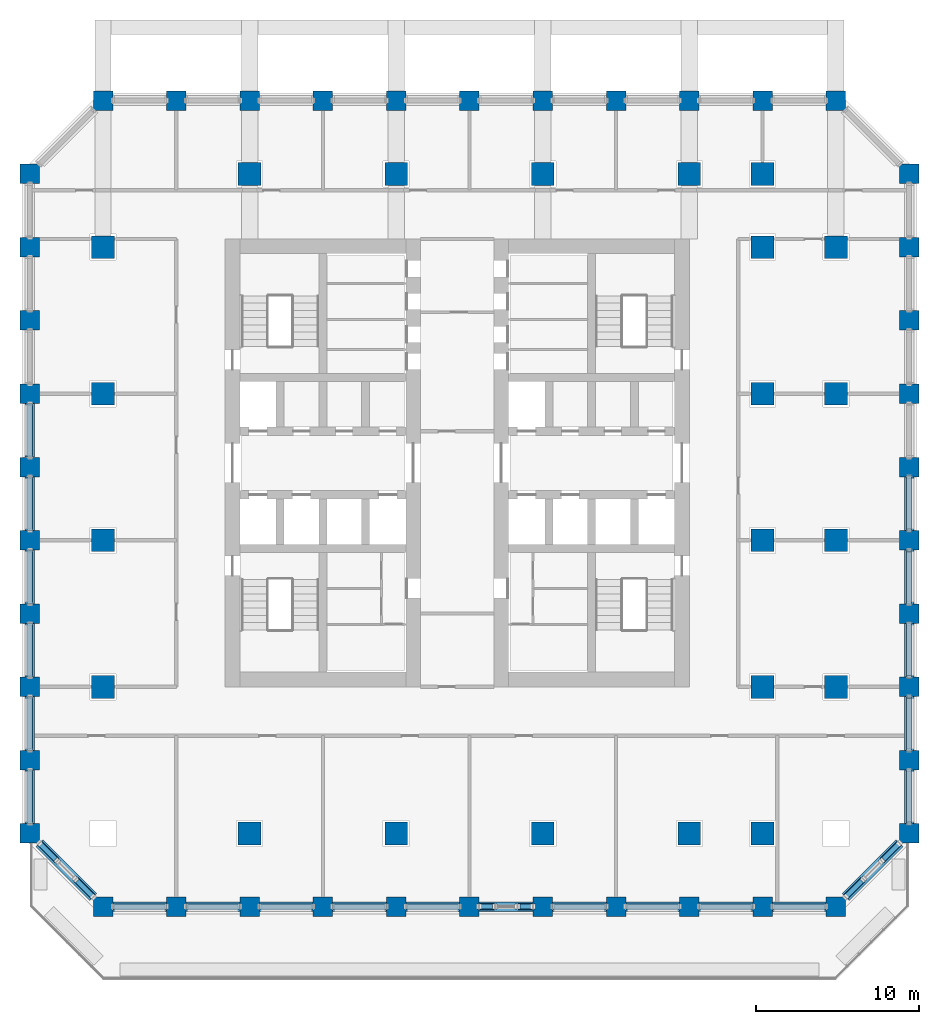
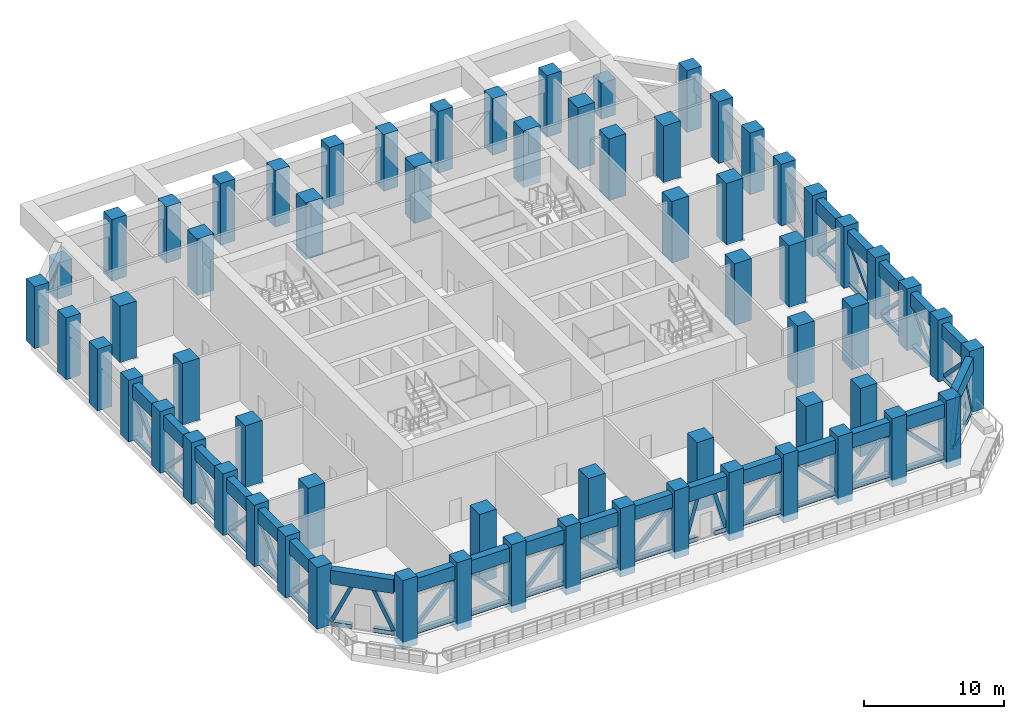
# One storey, part 1 of 20: 64 columns, 52 members, 23 beams.
"""IFC4 building model written with IfcOpenShell, lengths in metres."""

from ifc_helpers import new_model, si_unit, direction, frame, origin, origin_2d, place, context, subcontext, project, spatial, rectangle, hollow_rectangle, i_section, extrude, material, material_profile, profile_set, type_object, element, save


model = new_model("IFC4")

# Units and contexts
model_context = context("Model", 3, precision=1e-05, world=origin(), true_north=direction((0.0, 1.0)))
body_context = subcontext(model_context, "Body", "Model", "MODEL_VIEW")
ifc_project = project(units=[si_unit("LENGTHUNIT", "METRE"), si_unit("AREAUNIT", "SQUARE_METRE"), si_unit("VOLUMEUNIT", "CUBIC_METRE"), si_unit("PLANEANGLEUNIT", "RADIAN"), si_unit("MASSUNIT", "GRAM", prefix="KILO")], contexts=[model_context])

# Site, building, storey
site_placement = place(None, origin())
site = spatial("IfcSite", under=ifc_project, at=site_placement, CompositionType="ELEMENT")
building_placement = place(site_placement, origin())
building = spatial("IfcBuilding", under=site, at=building_placement, Name="Corbel Stack Research Tower", CompositionType="ELEMENT")
storey_placement = place(building_placement, frame((0.0, 0.0, 76.60009765625)))
storey = spatial("IfcBuildingStorey", under=building, at=storey_placement, Name="L17", CompositionType="ELEMENT", Elevation=76.60009765625)

# Columns
ifc_material_1 = material(Name="Concrete C70/85", Category="concrete")
ifc_material_profile_1 = material_profile(ifc_material_1, rectangle(XDim=1.199951171875, YDim=1.199951171875, at=origin_2d()), Name="RC 1200 x 1200")
ifc_profile_set_1 = profile_set([ifc_material_profile_1], Name="Concrete C70/85")
column_type_1 = type_object("IfcColumnType", Name="C-1200-70", PredefinedType="COLUMN", material=ifc_profile_set_1)
for number, where, z_axis, x_axis, name in (
    (1, (-22.5, -18.0, 0.0), (0.0, 0.0, 1.0), (1.0, 0.0, 0.0), "Column 3/D L17"),
    (2, (-22.5, -13.5, 0.0), (0.0, 0.0, 1.0), (1.0, 0.0, 0.0), "Column 3/E L17"),
    (3, (-22.5, -9.0, 0.0), (0.0, 0.0, 1.0), (1.0, 0.0, 0.0), "Column 3/F L17"),
    (4, (-22.5, -4.5, 0.0), (0.0, 0.0, 1.0), (1.0, 0.0, 0.0), "Column 3/G L17"),
    (5, (-22.5, 0.0, 0.0), (0.0, 0.0, 1.0), (1.0, 0.0, 0.0), "Column 3/H L17"),
    (6, (-22.5, 4.5, 0.0), (0.0, 0.0, 1.0), (1.0, 0.0, 0.0), "Column 3/J L17"),
    (7, (-22.5, 9.0, 0.0), (0.0, 0.0, 1.0), (1.0, 0.0, 0.0), "Column 3/K L17"),
    (8, (-22.5, 13.5, 0.0), (0.0, 0.0, 1.0), (1.0, 0.0, 0.0), "Column 3/L L17"),
    (9, (-22.5, 18.0, 0.0), (0.0, 0.0, 1.0), (1.0, 0.0, 0.0), "Column 3/M L17"),
    (10, (-22.5, 22.5, 0.0), (0.0, 0.0, 1.0), (1.0, 0.0, 0.0), "Column 3/N L17"),
):
    element("IfcColumn", number, at=place(storey_placement, frame(where, z_axis=z_axis, x_axis=x_axis)), inside=storey, type_object=column_type_1, Name=name, PredefinedType="COLUMN", context=body_context, shape_type="SweptSolid", body=[
        extrude(rectangle(XDim=1.199951171875, YDim=1.199951171875, at=origin_2d()), origin(), (0.0, 0.0, 1.0), 5.39990234375),
    ])
for number, where, z_axis, x_axis, name in (
    (11, (-18.0, -22.5, -0.60009765625), (0.0, 0.0, 1.0), (1.0, 0.0, 0.0), "Column 4/C L17"),
    (12, (-13.5, -22.5, -0.60009765625), (0.0, 0.0, 1.0), (1.0, 0.0, 0.0), "Column 5/C L17"),
):
    element("IfcColumn", number, at=place(storey_placement, frame(where, z_axis=z_axis, x_axis=x_axis)), inside=storey, type_object=column_type_1, Name=name, PredefinedType="COLUMN", context=body_context, shape_type="SweptSolid", body=[
        extrude(rectangle(XDim=1.199951171875, YDim=1.199951171875, at=origin_2d()), origin(), (0.0, 0.0, 1.0), 6.0),
    ])
column_1_placement = place(storey_placement, frame((-13.5, 27.0, 0.0), z_axis=(0.0, 0.0, 1.0), x_axis=(1.0, 0.0, 0.0)))
element("IfcColumn", 13, at=column_1_placement, inside=storey, type_object=column_type_1, Name="Column 5/P L17", PredefinedType="COLUMN", context=body_context, shape_type="SweptSolid", body=[
    extrude(rectangle(XDim=1.199951171875, YDim=1.199951171875, at=origin_2d()), origin(), (0.0, 0.0, 1.0), 5.39990234375),
])
for number, where, z_axis, x_axis, name in (
    (14, (-9.0, -22.5, -0.60009765625), (0.0, 0.0, 1.0), (1.0, 0.0, 0.0), "Column 6/C L17"),
    (15, (-4.5, -22.5, -0.60009765625), (0.0, 0.0, 1.0), (1.0, 0.0, 0.0), "Column 7/C L17"),
):
    element("IfcColumn", number, at=place(storey_placement, frame(where, z_axis=z_axis, x_axis=x_axis)), inside=storey, type_object=column_type_1, Name=name, PredefinedType="COLUMN", context=body_context, shape_type="SweptSolid", body=[
        extrude(rectangle(XDim=1.199951171875, YDim=1.199951171875, at=origin_2d()), origin(), (0.0, 0.0, 1.0), 6.0),
    ])
column_2_placement = place(storey_placement, frame((-4.5, 27.0, 0.0), z_axis=(0.0, 0.0, 1.0), x_axis=(1.0, 0.0, 0.0)))
element("IfcColumn", 16, at=column_2_placement, inside=storey, type_object=column_type_1, Name="Column 7/P L17", PredefinedType="COLUMN", context=body_context, shape_type="SweptSolid", body=[
    extrude(rectangle(XDim=1.199951171875, YDim=1.199951171875, at=origin_2d()), origin(), (0.0, 0.0, 1.0), 5.39990234375),
])
for number, where, z_axis, x_axis, name in (
    (17, (0.0, -22.5, -0.60009765625), (0.0, 0.0, 1.0), (1.0, 0.0, 0.0), "Column 8/C L17"),
    (18, (4.5, -22.5, -0.60009765625), (0.0, 0.0, 1.0), (1.0, 0.0, 0.0), "Column 9/C L17"),
):
    element("IfcColumn", number, at=place(storey_placement, frame(where, z_axis=z_axis, x_axis=x_axis)), inside=storey, type_object=column_type_1, Name=name, PredefinedType="COLUMN", context=body_context, shape_type="SweptSolid", body=[
        extrude(rectangle(XDim=1.199951171875, YDim=1.199951171875, at=origin_2d()), origin(), (0.0, 0.0, 1.0), 6.0),
    ])
column_3_placement = place(storey_placement, frame((4.5, 27.0, 0.0), z_axis=(0.0, 0.0, 1.0), x_axis=(1.0, 0.0, 0.0)))
element("IfcColumn", 19, at=column_3_placement, inside=storey, type_object=column_type_1, Name="Column 9/P L17", PredefinedType="COLUMN", context=body_context, shape_type="SweptSolid", body=[
    extrude(rectangle(XDim=1.199951171875, YDim=1.199951171875, at=origin_2d()), origin(), (0.0, 0.0, 1.0), 5.39990234375),
])
for number, where, z_axis, x_axis, name in (
    (20, (9.0, -22.5, -0.60009765625), (0.0, 0.0, 1.0), (1.0, 0.0, 0.0), "Column 10/C L17"),
    (21, (13.5, -22.5, -0.60009765625), (0.0, 0.0, 1.0), (1.0, 0.0, 0.0), "Column 11/C L17"),
):
    element("IfcColumn", number, at=place(storey_placement, frame(where, z_axis=z_axis, x_axis=x_axis)), inside=storey, type_object=column_type_1, Name=name, PredefinedType="COLUMN", context=body_context, shape_type="SweptSolid", body=[
        extrude(rectangle(XDim=1.199951171875, YDim=1.199951171875, at=origin_2d()), origin(), (0.0, 0.0, 1.0), 6.0),
    ])
column_4_placement = place(storey_placement, frame((13.5, 27.0, 0.0), z_axis=(0.0, 0.0, 1.0), x_axis=(1.0, 0.0, 0.0)))
element("IfcColumn", 22, at=column_4_placement, inside=storey, type_object=column_type_1, Name="Column 11/P L17", PredefinedType="COLUMN", context=body_context, shape_type="SweptSolid", body=[
    extrude(rectangle(XDim=1.199951171875, YDim=1.199951171875, at=origin_2d()), origin(), (0.0, 0.0, 1.0), 5.39990234375),
])
for number, where, z_axis, x_axis, name in (
    (23, (18.0, -22.5, -0.60009765625), (0.0, 0.0, 1.0), (1.0, 0.0, 0.0), "Column 12/C L17"),
    (24, (22.5, -22.5, -0.60009765625), (0.0, 0.0, 1.0), (1.0, 0.0, 0.0), "Column 13/C L17"),
):
    element("IfcColumn", number, at=place(storey_placement, frame(where, z_axis=z_axis, x_axis=x_axis)), inside=storey, type_object=column_type_1, Name=name, PredefinedType="COLUMN", context=body_context, shape_type="SweptSolid", body=[
        extrude(rectangle(XDim=1.199951171875, YDim=1.199951171875, at=origin_2d()), origin(), (0.0, 0.0, 1.0), 6.0),
    ])
column_5_placement = place(storey_placement, frame((22.5, 27.0, 0.0), z_axis=(0.0, 0.0, 1.0), x_axis=(1.0, 0.0, 0.0)))
element("IfcColumn", 25, at=column_5_placement, inside=storey, type_object=column_type_1, Name="Column 13/P L17", PredefinedType="COLUMN", context=body_context, shape_type="SweptSolid", body=[
    extrude(rectangle(XDim=1.199951171875, YDim=1.199951171875, at=origin_2d()), origin(), (0.0, 0.0, 1.0), 5.39990234375),
])
column_6_placement = place(storey_placement, frame((27.0, -22.5, -0.60009765625), z_axis=(0.0, 0.0, 1.0), x_axis=(1.0, 0.0, 0.0)))
element("IfcColumn", 26, at=column_6_placement, inside=storey, type_object=column_type_1, Name="Column 14/C L17", PredefinedType="COLUMN", context=body_context, shape_type="SweptSolid", body=[
    extrude(rectangle(XDim=1.199951171875, YDim=1.199951171875, at=origin_2d()), origin(), (0.0, 0.0, 1.0), 6.0),
])
for number, where, z_axis, x_axis, name in (
    (27, (31.5, -18.0, 0.0), (0.0, 0.0, 1.0), (1.0, 0.0, 0.0), "Column 15/D L17"),
    (28, (31.5, -13.5, 0.0), (0.0, 0.0, 1.0), (1.0, 0.0, 0.0), "Column 15/E L17"),
    (29, (31.5, -9.0, 0.0), (0.0, 0.0, 1.0), (1.0, 0.0, 0.0), "Column 15/F L17"),
    (30, (31.5, -4.5, 0.0), (0.0, 0.0, 1.0), (1.0, 0.0, 0.0), "Column 15/G L17"),
    (31, (31.5, 0.0, 0.0), (0.0, 0.0, 1.0), (1.0, 0.0, 0.0), "Column 15/H L17"),
    (32, (31.5, 4.5, 0.0), (0.0, 0.0, 1.0), (1.0, 0.0, 0.0), "Column 15/J L17"),
    (33, (31.5, 9.0, 0.0), (0.0, 0.0, 1.0), (1.0, 0.0, 0.0), "Column 15/K L17"),
    (34, (31.5, 13.5, 0.0), (0.0, 0.0, 1.0), (1.0, 0.0, 0.0), "Column 15/L L17"),
    (35, (31.5, 18.0, 0.0), (0.0, 0.0, 1.0), (1.0, 0.0, 0.0), "Column 15/M L17"),
    (36, (31.5, 22.5, 0.0), (0.0, 0.0, 1.0), (1.0, 0.0, 0.0), "Column 15/N L17"),
):
    element("IfcColumn", number, at=place(storey_placement, frame(where, z_axis=z_axis, x_axis=x_axis)), inside=storey, type_object=column_type_1, Name=name, PredefinedType="COLUMN", context=body_context, shape_type="SweptSolid", body=[
        extrude(rectangle(XDim=1.199951171875, YDim=1.199951171875, at=origin_2d()), origin(), (0.0, 0.0, 1.0), 5.39990234375),
    ])
ifc_material_2 = material(Name="Concrete C70/85", Category="concrete")
ifc_material_profile_2 = material_profile(ifc_material_2, rectangle(XDim=1.39990234375, YDim=1.39990234375, at=origin_2d()), Name="RC 1400 x 1400")
ifc_profile_set_2 = profile_set([ifc_material_profile_2], Name="Concrete C70/85")
column_type_2 = type_object("IfcColumnType", Name="C-1400-70", PredefinedType="COLUMN", material=ifc_profile_set_2)
for number, where, z_axis, x_axis, name in (
    (37, (-18.0, -9.0, 0.0), (0.0, 0.0, 1.0), (1.0, 0.0, 0.0), "Column 4/F L17"),
    (38, (-18.0, 0.0, 0.0), (0.0, 0.0, 1.0), (1.0, 0.0, 0.0), "Column 4/H L17"),
    (39, (-18.0, 9.0, 0.0), (0.0, 0.0, 1.0), (1.0, 0.0, 0.0), "Column 4/K L17"),
):
    element("IfcColumn", number, at=place(storey_placement, frame(where, z_axis=z_axis, x_axis=x_axis)), inside=storey, type_object=column_type_2, Name=name, PredefinedType="COLUMN", context=body_context, shape_type="SweptSolid", body=[
        extrude(rectangle(XDim=1.39990234375, YDim=1.39990234375, at=origin_2d()), origin(), (0.0, 0.0, 1.0), 5.39990234375),
    ])
for number, where, z_axis, x_axis, name in (
    (40, (-9.0, -18.0, -0.60009765625), (0.0, 0.0, 1.0), (1.0, 0.0, 0.0), "Column 6/D L17"),
    (41, (0.0, -18.0, -0.60009765625), (0.0, 0.0, 1.0), (1.0, 0.0, 0.0), "Column 8/D L17"),
    (42, (9.0, -18.0, -0.60009765625), (0.0, 0.0, 1.0), (1.0, 0.0, 0.0), "Column 10/D L17"),
):
    element("IfcColumn", number, at=place(storey_placement, frame(where, z_axis=z_axis, x_axis=x_axis)), inside=storey, type_object=column_type_2, Name=name, PredefinedType="COLUMN", context=body_context, shape_type="SweptSolid", body=[
        extrude(rectangle(XDim=1.39990234375, YDim=1.39990234375, at=origin_2d()), origin(), (0.0, 0.0, 1.0), 6.0),
    ])
column_7_placement = place(storey_placement, frame((18.0, -18.0, 0.0), z_axis=(0.0, 0.0, 1.0), x_axis=(1.0, 0.0, 0.0)))
element("IfcColumn", 43, at=column_7_placement, inside=storey, type_object=column_type_2, Name="Column 12/D L17", PredefinedType="COLUMN", context=body_context, shape_type="SweptSolid", body=[
    extrude(rectangle(XDim=1.39990234375, YDim=1.39990234375, at=origin_2d()), origin(), (0.0, 0.0, 1.0), 5.39990234375),
])
column_8_placement = place(storey_placement, frame((22.5, -18.0, -0.60009765625), z_axis=(0.0, 0.0, 1.0), x_axis=(1.0, 0.0, 0.0)))
element("IfcColumn", 44, at=column_8_placement, inside=storey, type_object=column_type_2, Name="Column 13/D L17", PredefinedType="COLUMN", context=body_context, shape_type="SweptSolid", body=[
    extrude(rectangle(XDim=1.39990234375, YDim=1.39990234375, at=origin_2d()), origin(), (0.0, 0.0, 1.0), 6.0),
])
for number, where, z_axis, x_axis, name in (
    (45, (22.5, -9.0, 0.0), (0.0, 0.0, 1.0), (1.0, 0.0, 0.0), "Column 13/F L17"),
    (46, (22.5, 0.0, 0.0), (0.0, 0.0, 1.0), (1.0, 0.0, 0.0), "Column 13/H L17"),
    (47, (22.5, 9.0, 0.0), (0.0, 0.0, 1.0), (1.0, 0.0, 0.0), "Column 13/K L17"),
    (48, (22.5, 18.0, 0.0), (0.0, 0.0, 1.0), (1.0, 0.0, 0.0), "Column 13/M L17"),
    (49, (22.5, 22.5, 0.0), (0.0, 0.0, 1.0), (1.0, 0.0, 0.0), "Column 13/N L17"),
    (50, (27.0, -9.0, 0.0), (0.0, 0.0, 1.0), (1.0, 0.0, 0.0), "Column 14/F L17"),
    (51, (27.0, 0.0, 0.0), (0.0, 0.0, 1.0), (1.0, 0.0, 0.0), "Column 14/H L17"),
    (52, (27.0, 9.0, 0.0), (0.0, 0.0, 1.0), (1.0, 0.0, 0.0), "Column 14/K L17"),
):
    element("IfcColumn", number, at=place(storey_placement, frame(where, z_axis=z_axis, x_axis=x_axis)), inside=storey, type_object=column_type_2, Name=name, PredefinedType="COLUMN", context=body_context, shape_type="SweptSolid", body=[
        extrude(rectangle(XDim=1.39990234375, YDim=1.39990234375, at=origin_2d()), origin(), (0.0, 0.0, 1.0), 5.39990234375),
    ])
ifc_material_3 = material(Name="Concrete C70/85", Category="concrete")
ifc_material_profile_3 = material_profile(ifc_material_3, rectangle(XDim=1.199951171875, YDim=1.199951171875, at=origin_2d()), Name="RC 1200 x 1200")
ifc_profile_set_3 = profile_set([ifc_material_profile_3], Name="Concrete C70/85")
column_type_3 = type_object("IfcColumnType", Name="CG-1200-70-2250", PredefinedType="COLUMN", material=ifc_profile_set_3)
for number, where, z_axis, x_axis, name in (
    (53, (-18.0, 27.0, 0.0), (0.0, 0.0, 1.0), (1.0, 0.0, 0.0), "Column 4/P L17"),
    (54, (27.0, 27.0, 0.0), (0.0, 0.0, 1.0), (1.0, 0.0, 0.0), "Column 14/P L17"),
):
    element("IfcColumn", number, at=place(storey_placement, frame(where, z_axis=z_axis, x_axis=x_axis)), inside=storey, type_object=column_type_3, Name=name, PredefinedType="COLUMN", context=body_context, shape_type="SweptSolid", body=[
        extrude(rectangle(XDim=1.199951171875, YDim=1.199951171875, at=origin_2d()), origin(), (0.0, 0.0, 1.0), 3.14990234375),
    ])
ifc_material_4 = material(Name="Concrete C70/85", Category="concrete")
ifc_material_profile_4 = material_profile(ifc_material_4, rectangle(XDim=1.199951171875, YDim=1.199951171875, at=origin_2d()), Name="RC 1200 x 1200")
ifc_profile_set_4 = profile_set([ifc_material_profile_4], Name="Concrete C70/85")
column_type_4 = type_object("IfcColumnType", Name="CG-1200-70-450", PredefinedType="COLUMN", material=ifc_profile_set_4)
for number, where, z_axis, x_axis, name in (
    (55, (-9.0, 27.0, 0.0), (0.0, 0.0, 1.0), (1.0, 0.0, 0.0), "Column 6/P L17"),
    (56, (0.0, 27.0, 0.0), (0.0, 0.0, 1.0), (1.0, 0.0, 0.0), "Column 8/P L17"),
    (57, (9.0, 27.0, 0.0), (0.0, 0.0, 1.0), (1.0, 0.0, 0.0), "Column 10/P L17"),
    (58, (18.0, 27.0, 0.0), (0.0, 0.0, 1.0), (1.0, 0.0, 0.0), "Column 12/P L17"),
):
    element("IfcColumn", number, at=place(storey_placement, frame(where, z_axis=z_axis, x_axis=x_axis)), inside=storey, type_object=column_type_4, Name=name, PredefinedType="COLUMN", context=body_context, shape_type="SweptSolid", body=[
        extrude(rectangle(XDim=1.199951171875, YDim=1.199951171875, at=origin_2d()), origin(), (0.0, 0.0, 1.0), 4.949951171875),
    ])
ifc_material_5 = material(Name="Concrete C70/85", Category="concrete")
ifc_material_profile_5 = material_profile(ifc_material_5, rectangle(XDim=1.39990234375, YDim=1.39990234375, at=origin_2d()), Name="RC 1400 x 1400")
ifc_profile_set_5 = profile_set([ifc_material_profile_5], Name="Concrete C70/85")
column_type_5 = type_object("IfcColumnType", Name="CG-1400-70-450", PredefinedType="COLUMN", material=ifc_profile_set_5)
for number, where, z_axis, x_axis, name in (
    (59, (-18.0, 18.0, 0.0), (0.0, 0.0, 1.0), (1.0, 0.0, 0.0), "Column 4/M L17"),
    (60, (-9.0, 22.5, 0.0), (0.0, 0.0, 1.0), (1.0, 0.0, 0.0), "Column 6/N L17"),
    (61, (0.0, 22.5, 0.0), (0.0, 0.0, 1.0), (1.0, 0.0, 0.0), "Column 8/N L17"),
    (62, (9.0, 22.5, 0.0), (0.0, 0.0, 1.0), (1.0, 0.0, 0.0), "Column 10/N L17"),
    (63, (18.0, 22.5, 0.0), (0.0, 0.0, 1.0), (1.0, 0.0, 0.0), "Column 12/N L17"),
    (64, (27.0, 18.0, 0.0), (0.0, 0.0, 1.0), (1.0, 0.0, 0.0), "Column 14/M L17"),
):
    element("IfcColumn", number, at=place(storey_placement, frame(where, z_axis=z_axis, x_axis=x_axis)), inside=storey, type_object=column_type_5, Name=name, PredefinedType="COLUMN", context=body_context, shape_type="SweptSolid", body=[
        extrude(rectangle(XDim=1.39990234375, YDim=1.39990234375, at=origin_2d()), origin(), (0.0, 0.0, 1.0), 4.949951171875),
    ])

# Members
ifc_material_6 = material(Name="Steel S355", Category="steel")
ifc_material_profile_6 = material_profile(ifc_material_6, i_section(OverallWidth=0.3740234375, OverallDepth=0.3720703125, WebThickness=0.01611328125, FlangeThickness=0.02587890625, at=origin_2d()), Name="W14x132")
ifc_profile_set_6 = profile_set([ifc_material_profile_6], Name="Steel S355")
member_type_1 = type_object("IfcMemberType", Name="BC-132", PredefinedType="CHORD", material=ifc_profile_set_6)
for number, where, z_axis, x_axis, name in (
    (65, (-17.39990234375, -22.5, 0.185791015625), (1.0, 0.0, 0.0), (0.0, 1.0, 0.0), "Belt truss chord L17-01"),
    (66, (-12.89990234375, -22.5, 0.185791015625), (1.0, 0.0, 0.0), (0.0, 1.0, 0.0), "Belt truss chord L17-02"),
    (67, (-8.39990234375, -22.5, 0.185791015625), (1.0, 0.0, 0.0), (0.0, 1.0, 0.0), "Belt truss chord L17-03"),
    (68, (-3.89990234375, -22.5, 0.185791015625), (1.0, 0.0, 0.0), (0.0, 1.0, 0.0), "Belt truss chord L17-04"),
    (69, (0.60009765625, -22.5, 0.185791015625), (1.0, 0.0, 0.0), (0.0, 1.0, 0.0), "Belt truss chord L17-05"),
):
    element("IfcMember", number, at=place(storey_placement, frame(where, z_axis=z_axis, x_axis=x_axis)), inside=storey, type_object=member_type_1, Name=name, PredefinedType="CHORD", context=body_context, shape_type="SweptSolid", body=[
        extrude(i_section(OverallWidth=0.3740234375, OverallDepth=0.3720703125, WebThickness=0.01611328125, FlangeThickness=0.02587890625, at=origin_2d()), origin(), (0.0, 0.0, 1.0), 3.2998046875),
    ])
for number, where, z_axis, x_axis, name in (
    (70, (5.10009765625, -22.5, 0.185791015625), (1.0, 0.0, 0.0), (0.0, 1.0, 0.0), "Belt truss chord L17-06a"),
    (71, (7.449951171875, -22.5, 0.185791015625), (1.0, 0.0, 0.0), (0.0, 1.0, 0.0), "Belt truss chord L17-06b"),
):
    element("IfcMember", number, at=place(storey_placement, frame(where, z_axis=z_axis, x_axis=x_axis)), inside=storey, type_object=member_type_1, Name=name, PredefinedType="CHORD", context=body_context, shape_type="SweptSolid", body=[
        extrude(i_section(OverallWidth=0.3740234375, OverallDepth=0.3720703125, WebThickness=0.01611328125, FlangeThickness=0.02587890625, at=origin_2d()), origin(), (0.0, 0.0, 1.0), 0.949951171875),
    ])
for number, where, z_axis, x_axis, name in (
    (72, (9.60009765625, -22.5, 0.185791015625), (1.0, 0.0, 0.0), (0.0, 1.0, 0.0), "Belt truss chord L17-07"),
    (73, (14.10009765625, -22.5, 0.185791015625), (1.0, 0.0, 0.0), (0.0, 1.0, 0.0), "Belt truss chord L17-08"),
    (74, (18.60009765625, -22.5, 0.185791015625), (1.0, 0.0, 0.0), (0.0, 1.0, 0.0), "Belt truss chord L17-09"),
    (75, (23.10009765625, -22.5, 0.185791015625), (1.0, 0.0, 0.0), (0.0, 1.0, 0.0), "Belt truss chord L17-10"),
):
    element("IfcMember", number, at=place(storey_placement, frame(where, z_axis=z_axis, x_axis=x_axis)), inside=storey, type_object=member_type_1, Name=name, PredefinedType="CHORD", context=body_context, shape_type="SweptSolid", body=[
        extrude(i_section(OverallWidth=0.3740234375, OverallDepth=0.3720703125, WebThickness=0.01611328125, FlangeThickness=0.02587890625, at=origin_2d()), origin(), (0.0, 0.0, 1.0), 3.2998046875),
    ])
for number, where, z_axis, x_axis, name in (
    (76, (27.60009765625, -21.89990234375, 0.185791015625), (0.707106781187, 0.707106781187, 0.0), (-0.707106781187, 0.707106781187, 0.0), "Belt truss chord L17-11a"),
    (77, (29.815673828125, -19.684326171875, 0.185791015625), (0.707106781187, 0.707106781187, 0.0), (-0.707106781187, 0.707106781187, 0.0), "Belt truss chord L17-11b"),
):
    element("IfcMember", number, at=place(storey_placement, frame(where, z_axis=z_axis, x_axis=x_axis)), inside=storey, type_object=member_type_1, Name=name, PredefinedType="CHORD", context=body_context, shape_type="SweptSolid", body=[
        extrude(i_section(OverallWidth=0.3740234375, OverallDepth=0.3720703125, WebThickness=0.01611328125, FlangeThickness=0.02587890625, at=origin_2d()), origin(), (0.0, 0.0, 1.0), 1.533447265625),
    ])
for number, where, z_axis, x_axis, name in (
    (78, (31.5, -17.39990234375, 0.185791015625), (0.0, 1.0, 0.0), (-1.0, 0.0, 0.0), "Belt truss chord L17-12"),
    (79, (31.5, -12.89990234375, 0.185791015625), (0.0, 1.0, 0.0), (-1.0, 0.0, 0.0), "Belt truss chord L17-13"),
    (80, (31.5, -8.39990234375, 0.185791015625), (0.0, 1.0, 0.0), (-1.0, 0.0, 0.0), "Belt truss chord L17-14"),
    (81, (31.5, -3.89990234375, 0.185791015625), (0.0, 1.0, 0.0), (-1.0, 0.0, 0.0), "Belt truss chord L17-15"),
    (82, (31.5, 0.60009765625, 0.185791015625), (0.0, 1.0, 0.0), (-1.0, 0.0, 0.0), "Belt truss chord L17-16"),
    (83, (-22.5, 8.39990234375, 0.185791015625), (0.0, -1.0, 0.0), (1.0, 0.0, 0.0), "Belt truss chord L17-36"),
    (84, (-22.5, 3.89990234375, 0.185791015625), (0.0, -1.0, 0.0), (1.0, 0.0, 0.0), "Belt truss chord L17-37"),
    (85, (-22.5, -0.60009765625, 0.185791015625), (0.0, -1.0, 0.0), (1.0, 0.0, 0.0), "Belt truss chord L17-38"),
    (86, (-22.5, -5.10009765625, 0.185791015625), (0.0, -1.0, 0.0), (1.0, 0.0, 0.0), "Belt truss chord L17-39"),
    (87, (-22.5, -9.60009765625, 0.185791015625), (0.0, -1.0, 0.0), (1.0, 0.0, 0.0), "Belt truss chord L17-40"),
    (88, (-22.5, -14.10009765625, 0.185791015625), (0.0, -1.0, 0.0), (1.0, 0.0, 0.0), "Belt truss chord L17-41"),
):
    element("IfcMember", number, at=place(storey_placement, frame(where, z_axis=z_axis, x_axis=x_axis)), inside=storey, type_object=member_type_1, Name=name, PredefinedType="CHORD", context=body_context, shape_type="SweptSolid", body=[
        extrude(i_section(OverallWidth=0.3740234375, OverallDepth=0.3720703125, WebThickness=0.01611328125, FlangeThickness=0.02587890625, at=origin_2d()), origin(), (0.0, 0.0, 1.0), 3.2998046875),
    ])
for number, where, z_axis, x_axis, name in (
    (89, (-21.89990234375, -18.60009765625, 0.185791015625), (0.707106781187, -0.707106781187, 0.0), (0.707106781187, 0.707106781187, 0.0), "Belt truss chord L17-42a"),
    (90, (-19.684326171875, -20.815673828125, 0.185791015625), (0.707106781187, -0.707106781187, 0.0), (0.707106781187, 0.707106781187, 0.0), "Belt truss chord L17-42b"),
):
    element("IfcMember", number, at=place(storey_placement, frame(where, z_axis=z_axis, x_axis=x_axis)), inside=storey, type_object=member_type_1, Name=name, PredefinedType="CHORD", context=body_context, shape_type="SweptSolid", body=[
        extrude(i_section(OverallWidth=0.3740234375, OverallDepth=0.3720703125, WebThickness=0.01611328125, FlangeThickness=0.02587890625, at=origin_2d()), origin(), (0.0, 0.0, 1.0), 1.533447265625),
    ])
ifc_material_7 = material(Name="Steel S355", Category="steel")
ifc_material_profile_7 = material_profile(ifc_material_7, hollow_rectangle(XDim=0.304931640625, YDim=0.304931640625, WallThickness=0.014892578125, at=origin_2d()), Name="HSS12x12x5/8")
ifc_profile_set_7 = profile_set([ifc_material_profile_7], Name="Steel S355")
member_type_2 = type_object("IfcMemberType", Name="BD-12", PredefinedType="BRACE", material=ifc_profile_set_7)
for number, where, z_axis, x_axis, name in (
    (91, (-17.39990234375, -22.5, 0.371826171875), (0.698760443473, 0.0, 0.715355745512), (0.0, 1.0, 0.0), "Belt truss diagonal L17-01"),
    (92, (-9.60009765625, -22.5, 0.371826171875), (-0.698760443473, 0.0, 0.715355745512), (0.0, -1.0, 0.0), "Belt truss diagonal L17-02"),
    (93, (-8.39990234375, -22.5, 0.371826171875), (0.698760443473, 0.0, 0.715355745512), (0.0, 1.0, 0.0), "Belt truss diagonal L17-03"),
    (94, (-0.60009765625, -22.5, 0.371826171875), (-0.698760443473, 0.0, 0.715355745512), (0.0, -1.0, 0.0), "Belt truss diagonal L17-04"),
    (95, (0.60009765625, -22.5, 0.371826171875), (0.698760443473, 0.0, 0.715355745512), (0.0, 1.0, 0.0), "Belt truss diagonal L17-05"),
):
    element("IfcMember", number, at=place(storey_placement, frame(where, z_axis=z_axis, x_axis=x_axis)), inside=storey, type_object=member_type_2, Name=name, PredefinedType="BRACE", context=body_context, shape_type="SweptSolid", body=[
        extrude(hollow_rectangle(XDim=0.304931640625, YDim=0.304931640625, WallThickness=0.014892578125, at=origin_2d()), origin(), (0.0, 0.0, 1.0), 4.722412109375),
    ])
for number, where, z_axis, x_axis, name in (
    (96, (5.10009765625, -22.5, 0.371826171875), (0.270703267023, 0.0, 0.962662838808), (0.0, 1.0, 0.0), "Belt truss diagonal L17-06a"),
    (97, (8.39990234375, -22.5, 0.371826171875), (-0.270703267023, 0.0, 0.962662838808), (0.0, -1.0, 0.0), "Belt truss diagonal L17-06b"),
):
    element("IfcMember", number, at=place(storey_placement, frame(where, z_axis=z_axis, x_axis=x_axis)), inside=storey, type_object=member_type_2, Name=name, PredefinedType="BRACE", context=body_context, shape_type="SweptSolid", body=[
        extrude(hollow_rectangle(XDim=0.304931640625, YDim=0.304931640625, WallThickness=0.014892578125, at=origin_2d()), origin(), (0.0, 0.0, 1.0), 3.50927734375),
    ])
for number, where, z_axis, x_axis, name in (
    (98, (9.60009765625, -22.5, 0.371826171875), (0.698760443473, 0.0, 0.715355745512), (0.0, 1.0, 0.0), "Belt truss diagonal L17-07"),
    (99, (17.39990234375, -22.5, 0.371826171875), (-0.698760443473, 0.0, 0.715355745512), (0.0, -1.0, 0.0), "Belt truss diagonal L17-08"),
    (100, (18.60009765625, -22.5, 0.371826171875), (0.698760443473, 0.0, 0.715355745512), (0.0, 1.0, 0.0), "Belt truss diagonal L17-09"),
    (101, (26.39990234375, -22.5, 0.371826171875), (-0.698760443473, 0.0, 0.715355745512), (0.0, -1.0, 0.0), "Belt truss diagonal L17-10"),
):
    element("IfcMember", number, at=place(storey_placement, frame(where, z_axis=z_axis, x_axis=x_axis)), inside=storey, type_object=member_type_2, Name=name, PredefinedType="BRACE", context=body_context, shape_type="SweptSolid", body=[
        extrude(hollow_rectangle(XDim=0.304931640625, YDim=0.304931640625, WallThickness=0.014892578125, at=origin_2d()), origin(), (0.0, 0.0, 1.0), 4.722412109375),
    ])
for number, where, z_axis, x_axis, name in (
    (102, (27.60009765625, -21.89990234375, 0.371826171875), (0.292254848205, 0.292254848205, 0.910590032562), (-0.707106781187, 0.707106781187, 0.0), "Belt truss diagonal L17-11a"),
    (103, (30.89990234375, -18.60009765625, 0.371826171875), (-0.292254848205, -0.292254848205, 0.910590032562), (0.707106781187, -0.707106781187, 0.0), "Belt truss diagonal L17-11b"),
):
    element("IfcMember", number, at=place(storey_placement, frame(where, z_axis=z_axis, x_axis=x_axis)), inside=storey, type_object=member_type_2, Name=name, PredefinedType="BRACE", context=body_context, shape_type="SweptSolid", body=[
        extrude(hollow_rectangle(XDim=0.304931640625, YDim=0.304931640625, WallThickness=0.014892578125, at=origin_2d()), origin(), (0.0, 0.0, 1.0), 3.7099609375),
    ])
for number, where, z_axis, x_axis, name in (
    (104, (31.5, -14.10009765625, 0.371826171875), (0.0, -0.698760443473, 0.715355745512), (1.0, 0.0, 0.0), "Belt truss diagonal L17-12"),
    (105, (31.5, -12.89990234375, 0.371826171875), (0.0, 0.698760443473, 0.715355745512), (-1.0, 0.0, 0.0), "Belt truss diagonal L17-13"),
    (106, (31.5, -5.10009765625, 0.371826171875), (0.0, -0.698760443473, 0.715355745512), (1.0, 0.0, 0.0), "Belt truss diagonal L17-14"),
    (107, (31.5, -3.89990234375, 0.371826171875), (0.0, 0.698760443473, 0.715355745512), (-1.0, 0.0, 0.0), "Belt truss diagonal L17-15"),
    (108, (31.5, 3.89990234375, 0.371826171875), (0.0, -0.698760443473, 0.715355745512), (1.0, 0.0, 0.0), "Belt truss diagonal L17-16"),
    (109, (-22.5, 5.10009765625, 0.371826171875), (0.0, 0.698760443473, 0.715355745512), (-1.0, 0.0, 0.0), "Belt truss diagonal L17-36"),
    (110, (-22.5, 3.89990234375, 0.371826171875), (0.0, -0.698760443473, 0.715355745512), (1.0, 0.0, 0.0), "Belt truss diagonal L17-37"),
    (111, (-22.5, -3.89990234375, 0.371826171875), (0.0, 0.698760443473, 0.715355745512), (-1.0, 0.0, 0.0), "Belt truss diagonal L17-38"),
    (112, (-22.5, -5.10009765625, 0.371826171875), (0.0, -0.698760443473, 0.715355745512), (1.0, 0.0, 0.0), "Belt truss diagonal L17-39"),
    (113, (-22.5, -12.89990234375, 0.371826171875), (0.0, 0.698760443473, 0.715355745512), (-1.0, 0.0, 0.0), "Belt truss diagonal L17-40"),
    (114, (-22.5, -14.10009765625, 0.371826171875), (0.0, -0.698760443473, 0.715355745512), (1.0, 0.0, 0.0), "Belt truss diagonal L17-41"),
):
    element("IfcMember", number, at=place(storey_placement, frame(where, z_axis=z_axis, x_axis=x_axis)), inside=storey, type_object=member_type_2, Name=name, PredefinedType="BRACE", context=body_context, shape_type="SweptSolid", body=[
        extrude(hollow_rectangle(XDim=0.304931640625, YDim=0.304931640625, WallThickness=0.014892578125, at=origin_2d()), origin(), (0.0, 0.0, 1.0), 4.722412109375),
    ])
for number, where, z_axis, x_axis, name in (
    (115, (-21.89990234375, -18.60009765625, 0.371826171875), (0.292254848205, -0.292254848205, 0.910590032562), (0.707106781187, 0.707106781187, 0.0), "Belt truss diagonal L17-42a"),
    (116, (-18.60009765625, -21.89990234375, 0.371826171875), (-0.292254848205, 0.292254848205, 0.910590032562), (-0.707106781187, -0.707106781187, 0.0), "Belt truss diagonal L17-42b"),
):
    element("IfcMember", number, at=place(storey_placement, frame(where, z_axis=z_axis, x_axis=x_axis)), inside=storey, type_object=member_type_2, Name=name, PredefinedType="BRACE", context=body_context, shape_type="SweptSolid", body=[
        extrude(hollow_rectangle(XDim=0.304931640625, YDim=0.304931640625, WallThickness=0.014892578125, at=origin_2d()), origin(), (0.0, 0.0, 1.0), 3.7099609375),
    ])

# Beams
ifc_material_8 = material(Name="Concrete C60/75", Category="concrete")
ifc_material_profile_8 = material_profile(ifc_material_8, rectangle(XDim=0.60009765625, YDim=1.199951171875, at=origin_2d()), Name="RC 600 x 1200")
ifc_profile_set_8 = profile_set([ifc_material_profile_8], Name="Concrete C60/75")
beam_type = type_object("IfcBeamType", Name="SB-600-1200-450", PredefinedType="SPANDREL", material=ifc_profile_set_8)
for number, where, z_axis, x_axis, name in (
    (117, (-17.39990234375, -22.5, 4.349853515625), (1.0, 0.0, 0.0), (0.0, 1.0, 0.0), "Spandrel beam L17-01"),
    (118, (-12.89990234375, -22.5, 4.349853515625), (1.0, 0.0, 0.0), (0.0, 1.0, 0.0), "Spandrel beam L17-02"),
    (119, (-8.39990234375, -22.5, 4.349853515625), (1.0, 0.0, 0.0), (0.0, 1.0, 0.0), "Spandrel beam L17-03"),
    (120, (-3.89990234375, -22.5, 4.349853515625), (1.0, 0.0, 0.0), (0.0, 1.0, 0.0), "Spandrel beam L17-04"),
    (121, (0.60009765625, -22.5, 4.349853515625), (1.0, 0.0, 0.0), (0.0, 1.0, 0.0), "Spandrel beam L17-05"),
    (122, (5.10009765625, -22.5, 4.349853515625), (1.0, 0.0, 0.0), (0.0, 1.0, 0.0), "Spandrel beam L17-06"),
    (123, (9.60009765625, -22.5, 4.349853515625), (1.0, 0.0, 0.0), (0.0, 1.0, 0.0), "Spandrel beam L17-07"),
    (124, (14.10009765625, -22.5, 4.349853515625), (1.0, 0.0, 0.0), (0.0, 1.0, 0.0), "Spandrel beam L17-08"),
    (125, (18.60009765625, -22.5, 4.349853515625), (1.0, 0.0, 0.0), (0.0, 1.0, 0.0), "Spandrel beam L17-09"),
    (126, (23.10009765625, -22.5, 4.349853515625), (1.0, 0.0, 0.0), (0.0, 1.0, 0.0), "Spandrel beam L17-10"),
):
    element("IfcBeam", number, at=place(storey_placement, frame(where, z_axis=z_axis, x_axis=x_axis)), inside=storey, type_object=beam_type, Name=name, PredefinedType="SPANDREL", context=body_context, shape_type="SweptSolid", body=[
        extrude(rectangle(XDim=0.60009765625, YDim=1.199951171875, at=origin_2d()), origin(), (0.0, 0.0, 1.0), 3.2998046875),
    ])
beam_1_placement = place(storey_placement, frame((27.60009765625, -21.89990234375, 4.349853515625), z_axis=(0.707106781187, 0.707106781187, 0.0), x_axis=(-0.707106781187, 0.707106781187, 0.0)))
element("IfcBeam", 127, at=beam_1_placement, inside=storey, type_object=beam_type, Name="Spandrel beam L17-11", PredefinedType="SPANDREL", context=body_context, shape_type="SweptSolid", body=[
    extrude(rectangle(XDim=0.60009765625, YDim=1.199951171875, at=origin_2d()), origin(), (0.0, 0.0, 1.0), 4.666748046875),
])
for number, where, z_axis, x_axis, name in (
    (128, (31.5, -17.39990234375, 4.349853515625), (0.0, 1.0, 0.0), (-1.0, 0.0, 0.0), "Spandrel beam L17-12"),
    (129, (31.5, -12.89990234375, 4.349853515625), (0.0, 1.0, 0.0), (-1.0, 0.0, 0.0), "Spandrel beam L17-13"),
    (130, (31.5, -8.39990234375, 4.349853515625), (0.0, 1.0, 0.0), (-1.0, 0.0, 0.0), "Spandrel beam L17-14"),
    (131, (31.5, -3.89990234375, 4.349853515625), (0.0, 1.0, 0.0), (-1.0, 0.0, 0.0), "Spandrel beam L17-15"),
    (132, (31.5, 0.60009765625, 4.349853515625), (0.0, 1.0, 0.0), (-1.0, 0.0, 0.0), "Spandrel beam L17-16"),
    (133, (-22.5, 8.39990234375, 4.349853515625), (0.0, -1.0, 0.0), (1.0, 0.0, 0.0), "Spandrel beam L17-36"),
    (134, (-22.5, 3.89990234375, 4.349853515625), (0.0, -1.0, 0.0), (1.0, 0.0, 0.0), "Spandrel beam L17-37"),
    (135, (-22.5, -0.60009765625, 4.349853515625), (0.0, -1.0, 0.0), (1.0, 0.0, 0.0), "Spandrel beam L17-38"),
    (136, (-22.5, -5.10009765625, 4.349853515625), (0.0, -1.0, 0.0), (1.0, 0.0, 0.0), "Spandrel beam L17-39"),
    (137, (-22.5, -9.60009765625, 4.349853515625), (0.0, -1.0, 0.0), (1.0, 0.0, 0.0), "Spandrel beam L17-40"),
    (138, (-22.5, -14.10009765625, 4.349853515625), (0.0, -1.0, 0.0), (1.0, 0.0, 0.0), "Spandrel beam L17-41"),
):
    element("IfcBeam", number, at=place(storey_placement, frame(where, z_axis=z_axis, x_axis=x_axis)), inside=storey, type_object=beam_type, Name=name, PredefinedType="SPANDREL", context=body_context, shape_type="SweptSolid", body=[
        extrude(rectangle(XDim=0.60009765625, YDim=1.199951171875, at=origin_2d()), origin(), (0.0, 0.0, 1.0), 3.2998046875),
    ])
beam_2_placement = place(storey_placement, frame((-21.89990234375, -18.60009765625, 4.349853515625), z_axis=(0.707106781187, -0.707106781187, 0.0), x_axis=(0.707106781187, 0.707106781187, 0.0)))
element("IfcBeam", 139, at=beam_2_placement, inside=storey, type_object=beam_type, Name="Spandrel beam L17-42", PredefinedType="SPANDREL", context=body_context, shape_type="SweptSolid", body=[
    extrude(rectangle(XDim=0.60009765625, YDim=1.199951171875, at=origin_2d()), origin(), (0.0, 0.0, 1.0), 4.666748046875),
])

save(model, "model.ifc")
